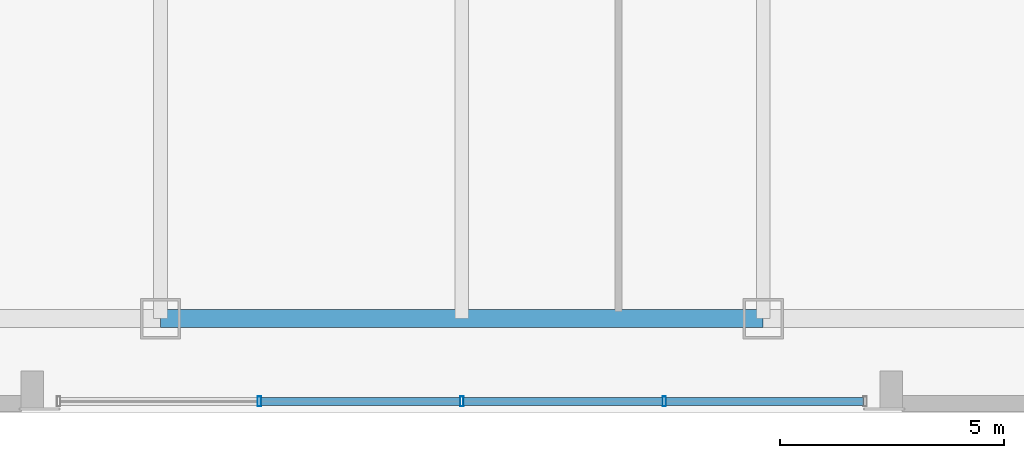
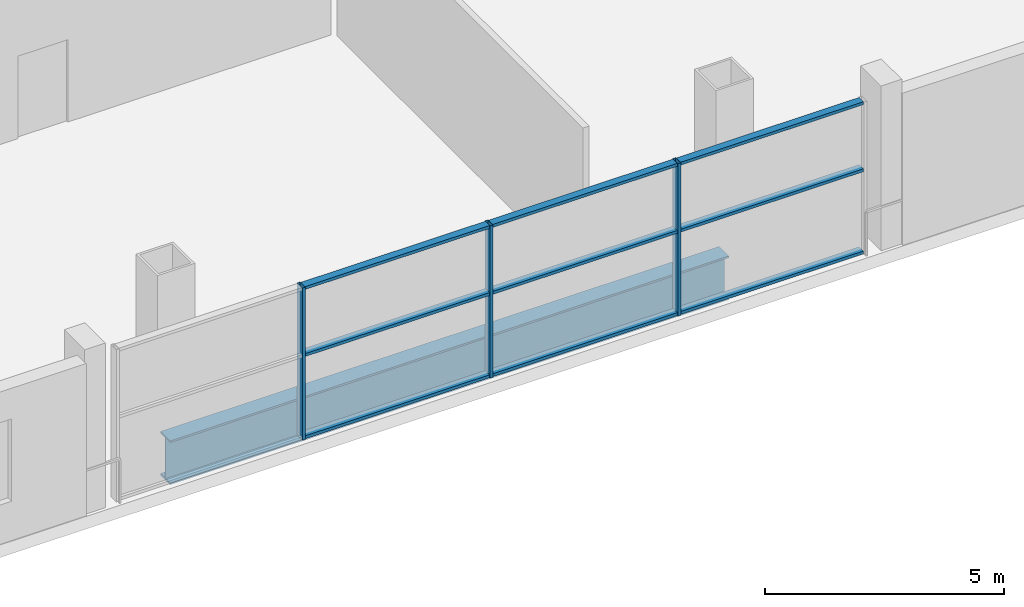
# One storey, part 4 of 21: 12 members, 1 beam, 1 element without a shape of its own.
"""IFC4 building model written with IfcOpenShell, lengths in metres."""

from ifc_helpers import new_model, si_unit, direction, frame, origin, origin_2d, place, context, subcontext, project, spatial, hollow_rectangle, i_section, extrude, material, layer, layer_set, material_profile, profile_set, type_object, element, aggregate, save


model = new_model("IFC4")

# Units and contexts
model_context = context("Model", 3, precision=1e-05, world=origin(), true_north=direction((0.0, 1.0)))
body_context = subcontext(model_context, "Body", "Model", "MODEL_VIEW")
ifc_project = project(units=[si_unit("LENGTHUNIT", "METRE"), si_unit("AREAUNIT", "SQUARE_METRE"), si_unit("VOLUMEUNIT", "CUBIC_METRE"), si_unit("PLANEANGLEUNIT", "RADIAN"), si_unit("MASSUNIT", "GRAM", prefix="KILO")], contexts=[model_context])

# Site, building, storey
site_placement = place(None, origin())
site = spatial("IfcSite", under=ifc_project, at=site_placement, CompositionType="ELEMENT")
building_placement = place(site_placement, origin())
building = spatial("IfcBuilding", under=site, at=building_placement, Name="Qhalaya Broadcast Tower", CompositionType="ELEMENT")
storey_placement = place(building_placement, frame((0.0, 0.0, 9.300048828125)))
storey = spatial("IfcBuildingStorey", under=building, at=storey_placement, Name="L02", CompositionType="ELEMENT", Elevation=9.300048828125)

# Beam
ifc_material_1 = material(Name="Structural Steel ASTM A992 Grade 50", Category="steel")
ifc_material_profile_1 = material_profile(ifc_material_1, i_section(OverallWidth=0.404052734375, OverallDepth=1.117919921875, WebThickness=0.026123046875, FlangeThickness=0.044921875, at=origin_2d()), Name="W44X335")
ifc_profile_set_1 = profile_set([ifc_material_profile_1], Name="Structural Steel ASTM A992 Grade 50")
beam_type = type_object("IfcBeamType", Name="Podium Long-Span Primary Girder PG1", PredefinedType="USERDEFINED", material=ifc_profile_set_1)
beam_placement = place(storey_placement, frame((-6.7333984375, -25.89990234375, -0.879150390625), z_axis=(1.0, 0.0, 0.0), x_axis=(0.0, 1.0, 0.0)))
element("IfcBeam", 1, at=beam_placement, inside=storey, type_object=beam_type, Name="L02 PG1 L02-PG-R02", ObjectType="GIRDER", PredefinedType="USERDEFINED", context=body_context, shape_type="SweptSolid", body=[
    extrude(i_section(OverallWidth=0.404052734375, OverallDepth=1.117919921875, WebThickness=0.026123046875, FlangeThickness=0.044921875, at=origin_2d()), origin(), (0.0, 0.0, 1.0), 13.466796875),
])

# Curtain wall, members
ifc_material_2 = material(Name="Solar-Control Low-E Triple Glazing", Category="glass")
ifc_layer = layer(ifc_material_2, 0.219970703125, Name="Solar-Control Low-E Triple Glazing")
ifc_layer_set = layer_set([ifc_layer], Name="Solar-Control Low-E Triple Glazing")
curtain_wall_type = type_object("IfcCurtainWallType", Name="Podium Concourse Triple-Height Glazed Portal CW-01", PredefinedType="NOTDEFINED", material=ifc_layer_set)
curtain_wall_placement = place(storey_placement, origin())
curtain_wall = element("IfcCurtainWall", 2, at=curtain_wall_placement, inside=storey, type_object=curtain_wall_type, Name="L02 Unitised Curtain Wall L02-CW01-S", PredefinedType="NOTDEFINED")
ifc_material_3 = material(Name="Anodised Aluminium 6063-T6", Category="aluminium")
ifc_material_profile_2 = material_profile(ifc_material_3, hollow_rectangle(XDim=0.074951171875, YDim=0.219970703125, WallThickness=0.00390625, at=origin_2d()), Name="ALU-MUL 75x220x4")
ifc_profile_set_2 = profile_set([ifc_material_profile_2], Name="Anodised Aluminium 6063-T6")
member_type_1 = type_object("IfcMemberType", Name="Unitised Curtain-Wall Mullion M01", PredefinedType="MULLION", material=ifc_profile_set_2)
member_1_placement = place(storey_placement, frame((-4.52490234375, -27.75, 0.0), z_axis=(0.0, 0.0, 1.0), x_axis=(1.0, 0.0, 0.0)))
member_1 = element("IfcMember", 3, at=member_1_placement, type_object=member_type_1, Name="CW-01 mullion 2", PredefinedType="MULLION", context=body_context, shape_type="SweptSolid", body=[
    extrude(hollow_rectangle(XDim=0.074951171875, YDim=0.219970703125, WallThickness=0.00390625, at=origin_2d()), origin(), (0.0, 0.0, 1.0), 3.8798828125),
])
member_2_placement = place(storey_placement, frame((0.0, -27.75, 0.0), z_axis=(0.0, 0.0, 1.0), x_axis=(1.0, 0.0, 0.0)))
member_2 = element("IfcMember", 4, at=member_2_placement, type_object=member_type_1, Name="CW-01 mullion 3", PredefinedType="MULLION", context=body_context, shape_type="SweptSolid", body=[
    extrude(hollow_rectangle(XDim=0.074951171875, YDim=0.219970703125, WallThickness=0.00390625, at=origin_2d()), origin(), (0.0, 0.0, 1.0), 3.8798828125),
])
member_3_placement = place(storey_placement, frame((4.52490234375, -27.75, 0.0), z_axis=(0.0, 0.0, 1.0), x_axis=(1.0, 0.0, 0.0)))
member_3 = element("IfcMember", 5, at=member_3_placement, type_object=member_type_1, Name="CW-01 mullion 4", PredefinedType="MULLION", context=body_context, shape_type="SweptSolid", body=[
    extrude(hollow_rectangle(XDim=0.074951171875, YDim=0.219970703125, WallThickness=0.00390625, at=origin_2d()), origin(), (0.0, 0.0, 1.0), 3.8798828125),
])
ifc_material_profile_3 = material_profile(ifc_material_3, hollow_rectangle(XDim=0.074951171875, YDim=0.179931640625, WallThickness=0.00390625, at=origin_2d()), Name="ALU-TRN 75x180x4")
ifc_profile_set_3 = profile_set([ifc_material_profile_3], Name="Anodised Aluminium 6063-T6")
member_type_2 = type_object("IfcMemberType", Name="Unitised Curtain-Wall Transom T01", PredefinedType="USERDEFINED", material=ifc_profile_set_3)
member_4_placement = place(storey_placement, frame((-4.487548828125, -27.75, 0.037353515625), z_axis=(1.0, 0.0, 0.0), x_axis=(0.0, 0.0, 1.0)))
member_4 = element("IfcMember", 6, at=member_4_placement, type_object=member_type_2, Name="CW-01 transom 2.1", ObjectType="TRANSOM", PredefinedType="USERDEFINED", context=body_context, shape_type="SweptSolid", body=[
    extrude(hollow_rectangle(XDim=0.074951171875, YDim=0.179931640625, WallThickness=0.00390625, at=origin_2d()), origin(), (0.0, 0.0, 1.0), 4.449951171875),
])
member_5_placement = place(storey_placement, frame((-4.487548828125, -27.75, 2.134033203125), z_axis=(1.0, 0.0, 0.0), x_axis=(0.0, 0.0, 1.0)))
member_5 = element("IfcMember", 7, at=member_5_placement, type_object=member_type_2, Name="CW-01 transom 2.2", ObjectType="TRANSOM", PredefinedType="USERDEFINED", context=body_context, shape_type="SweptSolid", body=[
    extrude(hollow_rectangle(XDim=0.074951171875, YDim=0.179931640625, WallThickness=0.00390625, at=origin_2d()), origin(), (0.0, 0.0, 1.0), 4.449951171875),
])
member_6_placement = place(storey_placement, frame((-4.487548828125, -27.75, 3.842529296875), z_axis=(1.0, 0.0, 0.0), x_axis=(0.0, 0.0, 1.0)))
member_6 = element("IfcMember", 8, at=member_6_placement, type_object=member_type_2, Name="CW-01 transom 2.3", ObjectType="TRANSOM", PredefinedType="USERDEFINED", context=body_context, shape_type="SweptSolid", body=[
    extrude(hollow_rectangle(XDim=0.074951171875, YDim=0.179931640625, WallThickness=0.00390625, at=origin_2d()), origin(), (0.0, 0.0, 1.0), 4.449951171875),
])
member_7_placement = place(storey_placement, frame((0.03759765625, -27.75, 0.037353515625), z_axis=(1.0, 0.0, 0.0), x_axis=(0.0, 0.0, 1.0)))
member_7 = element("IfcMember", 9, at=member_7_placement, type_object=member_type_2, Name="CW-01 transom 3.1", ObjectType="TRANSOM", PredefinedType="USERDEFINED", context=body_context, shape_type="SweptSolid", body=[
    extrude(hollow_rectangle(XDim=0.074951171875, YDim=0.179931640625, WallThickness=0.00390625, at=origin_2d()), origin(), (0.0, 0.0, 1.0), 4.449951171875),
])
member_8_placement = place(storey_placement, frame((0.03759765625, -27.75, 2.134033203125), z_axis=(1.0, 0.0, 0.0), x_axis=(0.0, 0.0, 1.0)))
member_8 = element("IfcMember", 10, at=member_8_placement, type_object=member_type_2, Name="CW-01 transom 3.2", ObjectType="TRANSOM", PredefinedType="USERDEFINED", context=body_context, shape_type="SweptSolid", body=[
    extrude(hollow_rectangle(XDim=0.074951171875, YDim=0.179931640625, WallThickness=0.00390625, at=origin_2d()), origin(), (0.0, 0.0, 1.0), 4.449951171875),
])
member_9_placement = place(storey_placement, frame((0.03759765625, -27.75, 3.842529296875), z_axis=(1.0, 0.0, 0.0), x_axis=(0.0, 0.0, 1.0)))
member_9 = element("IfcMember", 11, at=member_9_placement, type_object=member_type_2, Name="CW-01 transom 3.3", ObjectType="TRANSOM", PredefinedType="USERDEFINED", context=body_context, shape_type="SweptSolid", body=[
    extrude(hollow_rectangle(XDim=0.074951171875, YDim=0.179931640625, WallThickness=0.00390625, at=origin_2d()), origin(), (0.0, 0.0, 1.0), 4.449951171875),
])
member_10_placement = place(storey_placement, frame((4.5625, -27.75, 0.037353515625), z_axis=(1.0, 0.0, 0.0), x_axis=(0.0, 0.0, 1.0)))
member_10 = element("IfcMember", 12, at=member_10_placement, type_object=member_type_2, Name="CW-01 transom 4.1", ObjectType="TRANSOM", PredefinedType="USERDEFINED", context=body_context, shape_type="SweptSolid", body=[
    extrude(hollow_rectangle(XDim=0.074951171875, YDim=0.179931640625, WallThickness=0.00390625, at=origin_2d()), origin(), (0.0, 0.0, 1.0), 4.41259765625),
])
member_11_placement = place(storey_placement, frame((4.5625, -27.75, 2.134033203125), z_axis=(1.0, 0.0, 0.0), x_axis=(0.0, 0.0, 1.0)))
member_11 = element("IfcMember", 13, at=member_11_placement, type_object=member_type_2, Name="CW-01 transom 4.2", ObjectType="TRANSOM", PredefinedType="USERDEFINED", context=body_context, shape_type="SweptSolid", body=[
    extrude(hollow_rectangle(XDim=0.074951171875, YDim=0.179931640625, WallThickness=0.00390625, at=origin_2d()), origin(), (0.0, 0.0, 1.0), 4.41259765625),
])
member_12_placement = place(storey_placement, frame((4.5625, -27.75, 3.842529296875), z_axis=(1.0, 0.0, 0.0), x_axis=(0.0, 0.0, 1.0)))
member_12 = element("IfcMember", 14, at=member_12_placement, type_object=member_type_2, Name="CW-01 transom 4.3", ObjectType="TRANSOM", PredefinedType="USERDEFINED", context=body_context, shape_type="SweptSolid", body=[
    extrude(hollow_rectangle(XDim=0.074951171875, YDim=0.179931640625, WallThickness=0.00390625, at=origin_2d()), origin(), (0.0, 0.0, 1.0), 4.41259765625),
])
aggregate(curtain_wall, [member_1, member_2, member_3, member_4, member_5, member_6, member_7, member_8, member_9, member_10, member_11, member_12])

save(model, "model.ifc")
